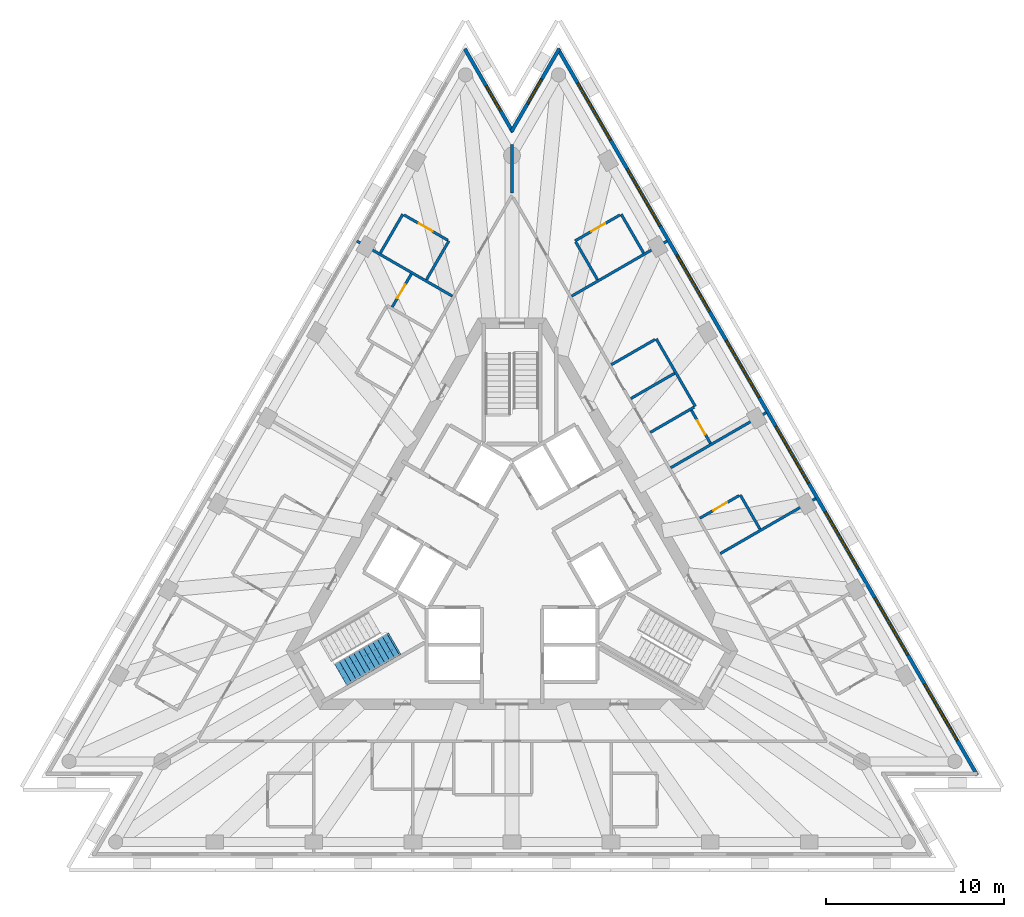
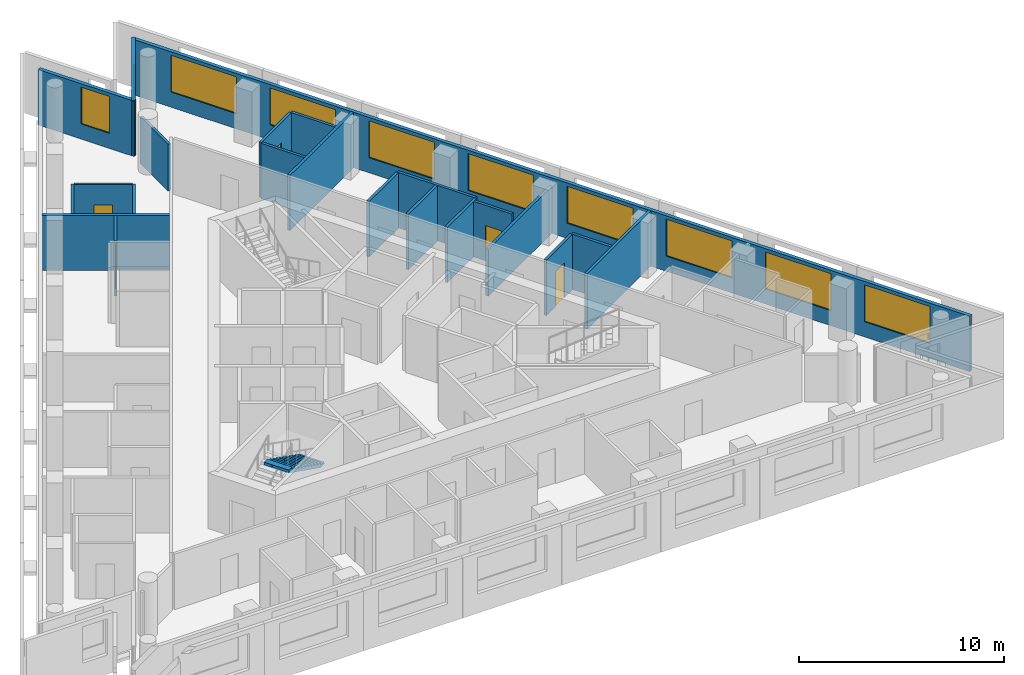
# One storey, part 7 of 10: 22 walls, 10 windows, 5 doors, 1 stair flight, 15 openings, 1 element without a shape of its own.
"""IFC4 building model written with IfcOpenShell, lengths in metres."""

from ifc_helpers import new_model, si_unit, direction, frame, frame_2d, origin, place, context, subcontext, project, spatial, polyline, rectangle, outline, extrude, material, layer, layer_set, layer_usage, type_object, element, fill, aggregate, save


model = new_model("IFC4")

# Units and contexts
model_context = context("Model", 3, precision=1e-05, world=origin(), true_north=direction((0.0, 1.0)))
body_context = subcontext(model_context, "Body", "Model", "MODEL_VIEW")
ifc_project = project(units=[si_unit("LENGTHUNIT", "METRE"), si_unit("AREAUNIT", "SQUARE_METRE"), si_unit("VOLUMEUNIT", "CUBIC_METRE"), si_unit("PLANEANGLEUNIT", "RADIAN"), si_unit("MASSUNIT", "GRAM", prefix="KILO")], contexts=[model_context])

# Site, building, storey
site_placement = place(None, origin())
site = spatial("IfcSite", under=ifc_project, at=site_placement, CompositionType="ELEMENT")
building_placement = place(site_placement, origin())
building = spatial("IfcBuilding", under=site, at=building_placement, Name="Triada Interchange Tower", CompositionType="ELEMENT")
storey_placement = place(building_placement, frame((0.0, 0.0, 271.89990234375)))
storey = spatial("IfcBuildingStorey", under=building, at=storey_placement, Name="L63", CompositionType="ELEMENT", Elevation=271.89990234375)

# Wall, openings, windows
ifc_material_1 = material(Name="Cement board")
ifc_layer_1 = layer(ifc_material_1, 0.02001953125, Name="Cement board cladding")
ifc_material_2 = material(Name="Sheathing board")
ifc_layer_2 = layer(ifc_material_2, 0.014892578125, Name="Sheathing board")
ifc_material_3 = material(Name="Mineral wool")
ifc_layer_3 = layer(ifc_material_3, 0.14990234375, Name="Mineral wool between steel studs")
ifc_material_4 = material(Name="Gypsum board")
ifc_layer_4 = layer(ifc_material_4, 0.014892578125, Name="Plasterboard lining")
ifc_layer_set_1 = layer_set([ifc_layer_1, ifc_layer_2, ifc_layer_3, ifc_layer_4], Name="External wall 200")
ifc_layer_usage = layer_usage(ifc_layer_set_1, "AXIS2", "POSITIVE", -0.10009765625)
wall_type_1 = type_object("IfcWallType", Name="External wall 200", PredefinedType="ELEMENTEDWALL", material=ifc_layer_set_1)
wall_1_placement = place(storey_placement, frame((26.205078125, -12.154052734375, 0.0), z_axis=(0.0, 0.0, 1.0), x_axis=(-0.49999909388, 0.866025926932, 0.0)))
wall_1 = element("IfcWall", 1, at=wall_1_placement, inside=storey, type_object=wall_type_1, material=ifc_layer_usage, Name="External wall L63 NE", PredefinedType="ELEMENTEDWALL", context=body_context, shape_type="SweptSolid", body=[
    extrude(rectangle(XDim=47.236328125, YDim=0.199951171875, at=frame_2d((23.6181640625, 0.0))), origin(), (0.0, 0.0, 1.0), 3.300048828125),
])
opening_1_placement = place(wall_1_placement, frame((2.242919921875, 0.0, 0.89990234375)))
opening_1 = element("IfcOpeningElement", 2, at=opening_1_placement, cuts=wall_1, Name="Opening WD21", PredefinedType="OPENING", context=body_context, shape_type="SweptSolid", body=[
    extrude(rectangle(XDim=3.699951171875, YDim=2.199951171875, at=frame_2d((1.85009765625, 1.10009765625))), frame((0.0, 0.10986328125, 0.0), z_axis=(0.0, -1.0, 0.0), x_axis=(1.0, 0.0, 0.0)), (0.0, 0.0, 1.0), 0.219970703125),
])
opening_2_placement = place(wall_1_placement, frame((7.824951171875, 0.0, 0.89990234375)))
opening_2 = element("IfcOpeningElement", 3, at=opening_2_placement, cuts=wall_1, Name="Opening WD22", PredefinedType="OPENING", context=body_context, shape_type="SweptSolid", body=[
    extrude(rectangle(XDim=3.699951171875, YDim=2.199951171875, at=frame_2d((1.85009765625, 1.10009765625))), frame((0.0, 0.10986328125, 0.0), z_axis=(0.0, -1.0, 0.0), x_axis=(1.0, 0.0, 0.0)), (0.0, 0.0, 1.0), 0.219970703125),
])
opening_3_placement = place(wall_1_placement, frame((13.406005859375, 0.0, 0.89990234375)))
opening_3 = element("IfcOpeningElement", 4, at=opening_3_placement, cuts=wall_1, Name="Opening WD23", PredefinedType="OPENING", context=body_context, shape_type="SweptSolid", body=[
    extrude(rectangle(XDim=3.699951171875, YDim=2.199951171875, at=frame_2d((1.85009765625, 1.10009765625))), frame((0.0, 0.10986328125, 0.0), z_axis=(0.0, -1.0, 0.0), x_axis=(1.0, 0.0, 0.0)), (0.0, 0.0, 1.0), 0.219970703125),
])
opening_4_placement = place(wall_1_placement, frame((18.987060546875, 0.0, 0.89990234375)))
opening_4 = element("IfcOpeningElement", 5, at=opening_4_placement, cuts=wall_1, Name="Opening WD24", PredefinedType="OPENING", context=body_context, shape_type="SweptSolid", body=[
    extrude(rectangle(XDim=3.699951171875, YDim=2.199951171875, at=frame_2d((1.85009765625, 1.10009765625))), frame((0.0, 0.10986328125, 0.0), z_axis=(0.0, -1.0, 0.0), x_axis=(1.0, 0.0, 0.0)), (0.0, 0.0, 1.0), 0.219970703125),
])
opening_5_placement = place(wall_1_placement, frame((24.569091796875, 0.0, 0.89990234375)))
opening_5 = element("IfcOpeningElement", 6, at=opening_5_placement, cuts=wall_1, Name="Opening WD25", PredefinedType="OPENING", context=body_context, shape_type="SweptSolid", body=[
    extrude(rectangle(XDim=3.699951171875, YDim=2.199951171875, at=frame_2d((1.85009765625, 1.10009765625))), frame((0.0, 0.10986328125, 0.0), z_axis=(0.0, -1.0, 0.0), x_axis=(1.0, 0.0, 0.0)), (0.0, 0.0, 1.0), 0.219970703125),
])
opening_6_placement = place(wall_1_placement, frame((30.14990234375, 0.0, 0.89990234375)))
opening_6 = element("IfcOpeningElement", 7, at=opening_6_placement, cuts=wall_1, Name="Opening WD26", PredefinedType="OPENING", context=body_context, shape_type="SweptSolid", body=[
    extrude(rectangle(XDim=3.699951171875, YDim=2.199951171875, at=frame_2d((1.85009765625, 1.10009765625))), frame((0.0, 0.10986328125, 0.0), z_axis=(0.0, -1.0, 0.0), x_axis=(1.0, 0.0, 0.0)), (0.0, 0.0, 1.0), 0.219970703125),
])
opening_7_placement = place(wall_1_placement, frame((35.73193359375, 0.0, 0.89990234375)))
opening_7 = element("IfcOpeningElement", 8, at=opening_7_placement, cuts=wall_1, Name="Opening WD27", PredefinedType="OPENING", context=body_context, shape_type="SweptSolid", body=[
    extrude(rectangle(XDim=3.699951171875, YDim=2.199951171875, at=frame_2d((1.85009765625, 1.10009765625))), frame((0.0, 0.10986328125, 0.0), z_axis=(0.0, -1.0, 0.0), x_axis=(1.0, 0.0, 0.0)), (0.0, 0.0, 1.0), 0.219970703125),
])
opening_8_placement = place(wall_1_placement, frame((41.31298828125, 0.0, 0.89990234375)))
opening_8 = element("IfcOpeningElement", 9, at=opening_8_placement, cuts=wall_1, Name="Opening WD28", PredefinedType="OPENING", context=body_context, shape_type="SweptSolid", body=[
    extrude(rectangle(XDim=3.699951171875, YDim=2.199951171875, at=frame_2d((1.85009765625, 1.10009765625))), frame((0.0, 0.10986328125, 0.0), z_axis=(0.0, -1.0, 0.0), x_axis=(1.0, 0.0, 0.0)), (0.0, 0.0, 1.0), 0.219970703125),
])
ifc_material_5 = material(Name="Double glazed aluminium window", Category="aluminium")
window_type_1 = type_object("IfcWindowType", Name="Ribbon window D face", PartitioningType="SINGLE_PANEL", PredefinedType="WINDOW", material=ifc_material_5)
window_1_placement = place(opening_1_placement, origin())
window_1 = element("IfcWindow", 10, at=window_1_placement, inside=storey, type_object=window_type_1, Name="Window L63 NE 1", OverallHeight=2.199951171875, OverallWidth=3.699951171875, PartitioningType="SINGLE_PANEL", PredefinedType="WINDOW", context=body_context, shape_type="SweptSolid", body=[
    extrude(rectangle(XDim=3.699951171875, YDim=2.199951171875, at=frame_2d((1.85009765625, 1.10009765625))), frame((0.0, 0.030029296875, 0.0), z_axis=(0.0, -1.0, 0.0), x_axis=(1.0, 0.0, 0.0)), (0.0, 0.0, 1.0), 0.06005859375),
])
fill(opening_1, window_1)
window_2_placement = place(opening_2_placement, origin())
window_2 = element("IfcWindow", 11, at=window_2_placement, inside=storey, type_object=window_type_1, Name="Window L63 NE 2", OverallHeight=2.199951171875, OverallWidth=3.699951171875, PartitioningType="SINGLE_PANEL", PredefinedType="WINDOW", context=body_context, shape_type="SweptSolid", body=[
    extrude(rectangle(XDim=3.699951171875, YDim=2.199951171875, at=frame_2d((1.85009765625, 1.10009765625))), frame((0.0, 0.030029296875, 0.0), z_axis=(0.0, -1.0, 0.0), x_axis=(1.0, 0.0, 0.0)), (0.0, 0.0, 1.0), 0.06005859375),
])
fill(opening_2, window_2)
window_3_placement = place(opening_3_placement, origin())
window_3 = element("IfcWindow", 12, at=window_3_placement, inside=storey, type_object=window_type_1, Name="Window L63 NE 3", OverallHeight=2.199951171875, OverallWidth=3.699951171875, PartitioningType="SINGLE_PANEL", PredefinedType="WINDOW", context=body_context, shape_type="SweptSolid", body=[
    extrude(rectangle(XDim=3.699951171875, YDim=2.199951171875, at=frame_2d((1.85009765625, 1.10009765625))), frame((0.0, 0.030029296875, 0.0), z_axis=(0.0, -1.0, 0.0), x_axis=(1.0, 0.0, 0.0)), (0.0, 0.0, 1.0), 0.06005859375),
])
fill(opening_3, window_3)
window_4_placement = place(opening_4_placement, origin())
window_4 = element("IfcWindow", 13, at=window_4_placement, inside=storey, type_object=window_type_1, Name="Window L63 NE 4", OverallHeight=2.199951171875, OverallWidth=3.699951171875, PartitioningType="SINGLE_PANEL", PredefinedType="WINDOW", context=body_context, shape_type="SweptSolid", body=[
    extrude(rectangle(XDim=3.699951171875, YDim=2.199951171875, at=frame_2d((1.85009765625, 1.10009765625))), frame((0.0, 0.030029296875, 0.0), z_axis=(0.0, -1.0, 0.0), x_axis=(1.0, 0.0, 0.0)), (0.0, 0.0, 1.0), 0.06005859375),
])
fill(opening_4, window_4)
window_5_placement = place(opening_5_placement, origin())
window_5 = element("IfcWindow", 14, at=window_5_placement, inside=storey, type_object=window_type_1, Name="Window L63 NE 5", OverallHeight=2.199951171875, OverallWidth=3.699951171875, PartitioningType="SINGLE_PANEL", PredefinedType="WINDOW", context=body_context, shape_type="SweptSolid", body=[
    extrude(rectangle(XDim=3.699951171875, YDim=2.199951171875, at=frame_2d((1.85009765625, 1.10009765625))), frame((0.0, 0.030029296875, 0.0), z_axis=(0.0, -1.0, 0.0), x_axis=(1.0, 0.0, 0.0)), (0.0, 0.0, 1.0), 0.06005859375),
])
fill(opening_5, window_5)
window_6_placement = place(opening_6_placement, origin())
window_6 = element("IfcWindow", 15, at=window_6_placement, inside=storey, type_object=window_type_1, Name="Window L63 NE 6", OverallHeight=2.199951171875, OverallWidth=3.699951171875, PartitioningType="SINGLE_PANEL", PredefinedType="WINDOW", context=body_context, shape_type="SweptSolid", body=[
    extrude(rectangle(XDim=3.699951171875, YDim=2.199951171875, at=frame_2d((1.85009765625, 1.10009765625))), frame((0.0, 0.030029296875, 0.0), z_axis=(0.0, -1.0, 0.0), x_axis=(1.0, 0.0, 0.0)), (0.0, 0.0, 1.0), 0.06005859375),
])
fill(opening_6, window_6)
window_7_placement = place(opening_7_placement, origin())
window_7 = element("IfcWindow", 16, at=window_7_placement, inside=storey, type_object=window_type_1, Name="Window L63 NE 7", OverallHeight=2.199951171875, OverallWidth=3.699951171875, PartitioningType="SINGLE_PANEL", PredefinedType="WINDOW", context=body_context, shape_type="SweptSolid", body=[
    extrude(rectangle(XDim=3.699951171875, YDim=2.199951171875, at=frame_2d((1.85009765625, 1.10009765625))), frame((0.0, 0.030029296875, 0.0), z_axis=(0.0, -1.0, 0.0), x_axis=(1.0, 0.0, 0.0)), (0.0, 0.0, 1.0), 0.06005859375),
])
fill(opening_7, window_7)
window_8_placement = place(opening_8_placement, origin())
window_8 = element("IfcWindow", 17, at=window_8_placement, inside=storey, type_object=window_type_1, Name="Window L63 NE 8", OverallHeight=2.199951171875, OverallWidth=3.699951171875, PartitioningType="SINGLE_PANEL", PredefinedType="WINDOW", context=body_context, shape_type="SweptSolid", body=[
    extrude(rectangle(XDim=3.699951171875, YDim=2.199951171875, at=frame_2d((1.85009765625, 1.10009765625))), frame((0.0, 0.030029296875, 0.0), z_axis=(0.0, -1.0, 0.0), x_axis=(1.0, 0.0, 0.0)), (0.0, 0.0, 1.0), 0.06005859375),
])
fill(opening_8, window_8)

# Wall, opening, window
wall_2_placement = place(storey_placement, frame((2.6669921875, 28.77099609375, 0.0), z_axis=(0.0, 0.0, 1.0), x_axis=(-0.500070558953, -0.865984662721, 0.0)))
wall_2 = element("IfcWall", 18, at=wall_2_placement, inside=storey, type_object=wall_type_1, material=ifc_layer_usage, Name="External wall L63 N-1", PredefinedType="ELEMENTEDWALL", context=body_context, shape_type="SweptSolid", body=[
    extrude(rectangle(XDim=5.403076171875, YDim=0.199951171875, at=frame_2d((2.70166015625, 0.0))), origin(), (0.0, 0.0, 1.0), 3.300048828125),
])
opening_9_placement = place(wall_2_placement, frame((1.989990234375, 0.0, 0.89990234375)))
opening_9 = element("IfcOpeningElement", 19, at=opening_9_placement, cuts=wall_2, Name="Opening WD29", PredefinedType="OPENING", context=body_context, shape_type="SweptSolid", body=[
    extrude(rectangle(XDim=1.60009765625, YDim=2.199951171875, at=frame_2d((0.800048828125, 1.10009765625))), frame((0.0, 0.10986328125, 0.0), z_axis=(0.0, -1.0, 0.0), x_axis=(1.0, 0.0, 0.0)), (0.0, 0.0, 1.0), 0.219970703125),
])
window_type_2 = type_object("IfcWindowType", Name="Ribbon window D pocket", PartitioningType="SINGLE_PANEL", PredefinedType="WINDOW", material=ifc_material_5)
window_9_placement = place(opening_9_placement, origin())
window_9 = element("IfcWindow", 20, at=window_9_placement, inside=storey, type_object=window_type_2, Name="Window L63 N-1 1", OverallHeight=2.199951171875, OverallWidth=1.60009765625, PartitioningType="SINGLE_PANEL", PredefinedType="WINDOW", context=body_context, shape_type="SweptSolid", body=[
    extrude(rectangle(XDim=1.60009765625, YDim=2.199951171875, at=frame_2d((0.800048828125, 1.10009765625))), frame((0.0, 0.030029296875, 0.0), z_axis=(0.0, -1.0, 0.0), x_axis=(1.0, 0.0, 0.0)), (0.0, 0.0, 1.0), 0.06005859375),
])
fill(opening_9, window_9)

wall_3_placement = place(storey_placement, frame((0.044921875, 24.074951171875, 0.0), z_axis=(0.0, 0.0, 1.0), x_axis=(-0.500070558953, 0.865984662721, 0.0)))
wall_3 = element("IfcWall", 21, at=wall_3_placement, inside=storey, type_object=wall_type_1, material=ifc_layer_usage, Name="External wall L63 N-2", PredefinedType="ELEMENTEDWALL", context=body_context, shape_type="SweptSolid", body=[
    extrude(rectangle(XDim=5.403076171875, YDim=0.199951171875, at=frame_2d((2.70166015625, 0.0))), origin(), (0.0, 0.0, 1.0), 3.300048828125),
])
opening_10_placement = place(wall_3_placement, frame((1.389892578125, 0.0, 0.89990234375)))
opening_10 = element("IfcOpeningElement", 22, at=opening_10_placement, cuts=wall_3, Name="Opening WD30", PredefinedType="OPENING", context=body_context, shape_type="SweptSolid", body=[
    extrude(rectangle(XDim=1.60009765625, YDim=2.199951171875, at=frame_2d((0.800048828125, 1.10009765625))), frame((0.0, 0.10986328125, 0.0), z_axis=(0.0, -1.0, 0.0), x_axis=(1.0, 0.0, 0.0)), (0.0, 0.0, 1.0), 0.219970703125),
])
window_10_placement = place(opening_10_placement, origin())
window_10 = element("IfcWindow", 23, at=window_10_placement, inside=storey, type_object=window_type_2, Name="Window L63 N-2 1", OverallHeight=2.199951171875, OverallWidth=1.60009765625, PartitioningType="SINGLE_PANEL", PredefinedType="WINDOW", context=body_context, shape_type="SweptSolid", body=[
    extrude(rectangle(XDim=1.60009765625, YDim=2.199951171875, at=frame_2d((0.800048828125, 1.10009765625))), frame((0.0, 0.030029296875, 0.0), z_axis=(0.0, -1.0, 0.0), x_axis=(1.0, 0.0, 0.0)), (0.0, 0.0, 1.0), 0.06005859375),
])
fill(opening_10, window_10)

# Walls
ifc_material_6 = material(Name="Gypsum board partition")
ifc_layer_5 = layer(ifc_material_6, 0.14990234375)
ifc_layer_set_2 = layer_set([ifc_layer_5], Name="PARTITION 150 EI 180")
wall_type_2 = type_object("IfcWallType", Name="PARTITION 150 EI 180", PredefinedType="PARTITIONING", material=ifc_layer_set_2)
wall_4_placement = place(storey_placement, frame((8.94189453125, 5.162109375, 0.0), z_axis=(0.0, 0.0, 1.0), x_axis=(0.866004272968, 0.500036597862, 0.0)))
element("IfcWall", 24, at=wall_4_placement, inside=storey, type_object=wall_type_2, Name="Wall L62 2", PredefinedType="PARTITIONING", context=body_context, shape_type="SweptSolid", body=[
    extrude(rectangle(XDim=6.21142578125, YDim=0.14990234375, at=frame_2d((3.105712890625, 0.0))), origin(), (0.0, 0.0, 1.0), 2.800048828125),
])
wall_5_placement = place(storey_placement, frame((-8.739990234375, 17.93603515625, 0.0), z_axis=(0.0, 0.0, 1.0), x_axis=(0.866033751423, -0.499985541187, 0.0)))
element("IfcWall", 25, at=wall_5_placement, inside=storey, type_object=wall_type_2, Name="Wall L62 10", PredefinedType="PARTITIONING", context=body_context, shape_type="SweptSolid", body=[
    extrude(rectangle(XDim=6.212158203125, YDim=0.14990234375, at=frame_2d((3.10595703125, 0.0))), origin(), (0.0, 0.0, 1.0), 3.300048828125),
])
wall_6_placement = place(storey_placement, frame((0.0, 20.64990234375, 0.0), z_axis=(0.0, 0.0, 1.0), x_axis=(0.0, 1.0, 0.0)))
element("IfcWall", 26, at=wall_6_placement, inside=storey, type_object=wall_type_2, Name="Wall L62 21", PredefinedType="PARTITIONING", context=body_context, shape_type="SweptSolid", body=[
    extrude(rectangle(XDim=2.72314453125, YDim=0.14990234375, at=frame_2d((1.361572265625, 0.0))), origin(), (0.0, 0.0, 1.0), 2.800048828125),
])
wall_7_placement = place(storey_placement, frame((3.360107421875, 14.830078125, 0.0), z_axis=(0.0, 0.0, 1.0), x_axis=(0.866033751423, 0.499985541187, 0.0)))
element("IfcWall", 27, at=wall_7_placement, inside=storey, type_object=wall_type_2, Name="Wall L62 23", PredefinedType="PARTITIONING", context=body_context, shape_type="SweptSolid", body=[
    extrude(rectangle(XDim=6.212158203125, YDim=0.14990234375, at=frame_2d((3.10595703125, 0.0))), origin(), (0.0, 0.0, 1.0), 3.300048828125),
])
wall_8_placement = place(storey_placement, frame((8.125, 12.427001953125, 0.0), z_axis=(0.0, 0.0, 1.0), x_axis=(0.500036278648, -0.866004457284, 0.0)))
element("IfcWall", 28, at=wall_8_placement, inside=storey, type_object=wall_type_2, Name="Wall L62 24", PredefinedType="PARTITIONING", context=body_context, shape_type="SweptSolid", body=[
    extrude(rectangle(XDim=4.399658203125, YDim=0.14990234375, at=frame_2d((2.19970703125, 0.0))), origin(), (0.0, 0.0, 1.0), 3.300048828125),
])
for number, where, z_axis, x_axis, name in (
    (29, (5.592041015625, 10.965087890625, 0.0), (0.0, 0.0, 1.0), (0.866041498374, 0.499972122318, 0.0), "Wall L62 25"),
    (30, (6.69189453125, 9.05908203125, 0.0), (0.0, 0.0, 1.0), (0.866041498374, 0.499972122318, 0.0), "Wall L62 27"),
    (31, (7.7919921875, 7.154052734375, 0.0), (0.0, 0.0, 1.0), (0.866004402611, 0.500036373335, 0.0), "Wall L62 28"),
):
    element("IfcWall", number, at=place(storey_placement, frame(where, z_axis=z_axis, x_axis=x_axis)), inside=storey, type_object=wall_type_2, Name=name, PredefinedType="PARTITIONING", context=body_context, shape_type="SweptSolid", body=[
        extrude(rectangle(XDim=2.849853515625, YDim=0.14990234375, at=frame_2d((1.4248046875, 0.0))), origin(), (0.0, 0.0, 1.0), 3.300048828125),
    ])
wall_9_placement = place(storey_placement, frame((11.73193359375, 0.3291015625, 0.0), z_axis=(0.0, 0.0, 1.0), x_axis=(0.866043575568, 0.499968524226, 0.0)))
element("IfcWall", 32, at=wall_9_placement, inside=storey, type_object=wall_type_2, Name="Wall L62 29", PredefinedType="PARTITIONING", context=body_context, shape_type="SweptSolid", body=[
    extrude(rectangle(XDim=6.21240234375, YDim=0.14990234375, at=frame_2d((3.106201171875, 0.0))), origin(), (0.0, 0.0, 1.0), 3.300048828125),
])
ifc_layer_6 = layer(ifc_material_6, 0.14990234375)
ifc_layer_set_3 = layer_set([ifc_layer_6], Name="PARTITION 150 EI 90")
wall_type_3 = type_object("IfcWallType", Name="PARTITION 150 EI 90", PredefinedType="PARTITIONING", material=ifc_layer_set_3)
for number, where, z_axis, x_axis, name in (
    (33, (-4.81689453125, 15.757080078125, 0.0), (0.0, 0.0, 1.0), (0.500079482444, 0.865979509711, 0.0), "Wall L62 35"),
    (34, (-7.4150390625, 17.257080078125, 0.0), (0.0, 0.0, 1.0), (0.500079482444, 0.865979509711, 0.0), "Wall L62 37"),
):
    element("IfcWall", number, at=place(storey_placement, frame(where, z_axis=z_axis, x_axis=x_axis)), inside=storey, type_object=wall_type_3, Name=name, PredefinedType="PARTITIONING", context=body_context, shape_type="SweptSolid", body=[
        extrude(rectangle(XDim=2.525390625, YDim=0.14990234375, at=frame_2d((1.2626953125, 0.0))), origin(), (0.0, 0.0, 1.0), 3.300048828125),
    ])

# Wall, opening, door
wall_10_placement = place(storey_placement, frame((-6.74609375, 14.216064453125, 0.0), z_axis=(0.0, 0.0, 1.0), x_axis=(0.500095966228, 0.865969990567, 0.0)))
wall_10 = element("IfcWall", 35, at=wall_10_placement, inside=storey, type_object=wall_type_3, Name="Wall L62 40", PredefinedType="PARTITIONING", context=body_context, shape_type="SweptSolid", body=[
    extrude(rectangle(XDim=2.14990234375, YDim=0.14990234375, at=frame_2d((1.074951171875, 0.0))), origin(), (0.0, 0.0, 1.0), 3.300048828125),
])
opening_11_placement = place(wall_10_placement, frame((0.574951171875, 0.0, 0.0)))
opening_11 = element("IfcOpeningElement", 36, at=opening_11_placement, cuts=wall_10, Name="Opening D62-37", PredefinedType="OPENING", context=body_context, shape_type="SweptSolid", body=[
    extrude(rectangle(XDim=0.89990234375, YDim=2.10009765625, at=frame_2d((0.449951171875, 1.050048828125))), frame((0.0, 0.0849609375, 0.0), z_axis=(0.0, -1.0, 0.0), x_axis=(1.0, 0.0, 0.0)), (0.0, 0.0, 1.0), 0.169921875),
])
ifc_material_7 = material(Name="Steel S235 door leaf", Category="steel")
door_type = type_object("IfcDoorType", Name="ROOM DOOR 900 EI2 45-C5S200", OperationType="NOTDEFINED", PredefinedType="DOOR", material=ifc_material_7)
door_1_placement = place(opening_11_placement, origin())
door_1 = element("IfcDoor", 37, at=door_1_placement, inside=storey, type_object=door_type, Name="Door D62-37 L63", OperationType="SINGLE_SWING_LEFT", OverallHeight=2.10009765625, OverallWidth=0.89990234375, PredefinedType="DOOR", context=body_context, shape_type="SweptSolid", body=[
    extrude(rectangle(XDim=0.89990234375, YDim=2.10009765625, at=frame_2d((0.449951171875, 1.050048828125))), frame((0.0, 0.02490234375, 0.0), z_axis=(0.0, -1.0, 0.0), x_axis=(1.0, 0.0, 0.0)), (0.0, 0.0, 1.0), 0.050048828125),
])
fill(opening_11, door_1)

wall_11_placement = place(storey_placement, frame((-6.0869140625, 19.406982421875, 0.0), z_axis=(0.0, 0.0, 1.0), x_axis=(0.866004402611, -0.500036373335, 0.0)))
wall_11 = element("IfcWall", 38, at=wall_11_placement, inside=storey, type_object=wall_type_3, Name="Wall L62 51", PredefinedType="PARTITIONING", context=body_context, shape_type="SweptSolid", body=[
    extrude(rectangle(XDim=2.849853515625, YDim=0.14990234375, at=frame_2d((1.4248046875, 0.0))), origin(), (0.0, 0.0, 1.0), 3.300048828125),
])
opening_12_placement = place(wall_11_placement, frame((0.97509765625, 0.0, 0.0)))
opening_12 = element("IfcOpeningElement", 39, at=opening_12_placement, cuts=wall_11, Name="Opening D62-35", PredefinedType="OPENING", context=body_context, shape_type="SweptSolid", body=[
    extrude(rectangle(XDim=0.89990234375, YDim=2.10009765625, at=frame_2d((0.449951171875, 1.050048828125))), frame((0.0, 0.0849609375, 0.0), z_axis=(0.0, -1.0, 0.0), x_axis=(1.0, 0.0, 0.0)), (0.0, 0.0, 1.0), 0.169921875),
])
door_2_placement = place(opening_12_placement, origin())
door_2 = element("IfcDoor", 40, at=door_2_placement, inside=storey, type_object=door_type, Name="Door D62-35 L63", OperationType="SINGLE_SWING_RIGHT", OverallHeight=2.10009765625, OverallWidth=0.89990234375, PredefinedType="DOOR", context=body_context, shape_type="SweptSolid", body=[
    extrude(rectangle(XDim=0.89990234375, YDim=2.10009765625, at=frame_2d((0.449951171875, 1.050048828125))), frame((0.0, 0.02490234375, 0.0), z_axis=(0.0, -1.0, 0.0), x_axis=(1.0, 0.0, 0.0)), (0.0, 0.0, 1.0), 0.050048828125),
])
fill(opening_12, door_2)

# Wall
wall_12_placement = place(storey_placement, frame((6.152099609375, 19.444091796875, 0.0), z_axis=(0.0, 0.0, 1.0), x_axis=(0.500079482444, -0.865979509711, 0.0)))
element("IfcWall", 41, at=wall_12_placement, inside=storey, type_object=wall_type_3, Name="Wall L62 52", PredefinedType="PARTITIONING", context=body_context, shape_type="SweptSolid", body=[
    extrude(rectangle(XDim=2.525390625, YDim=0.14990234375, at=frame_2d((1.2626953125, 0.0))), origin(), (0.0, 0.0, 1.0), 3.300048828125),
])

# Wall, opening, door
wall_13_placement = place(storey_placement, frame((3.553955078125, 17.944091796875, 0.0), z_axis=(0.0, 0.0, 1.0), x_axis=(0.865953438489, 0.500124626836, 0.0)))
wall_13 = element("IfcWall", 42, at=wall_13_placement, inside=storey, type_object=wall_type_3, Name="Wall L62 54", PredefinedType="PARTITIONING", context=body_context, shape_type="SweptSolid", body=[
    extrude(rectangle(XDim=2.925048828125, YDim=0.14990234375, at=frame_2d((1.46240234375, 0.0))), origin(), (0.0, 0.0, 1.0), 3.300048828125),
])
opening_13_placement = place(wall_13_placement, frame((1.050048828125, 0.0, 0.0)))
opening_13 = element("IfcOpeningElement", 43, at=opening_13_placement, cuts=wall_13, Name="Opening D62-33", PredefinedType="OPENING", context=body_context, shape_type="SweptSolid", body=[
    extrude(rectangle(XDim=0.89990234375, YDim=2.10009765625, at=frame_2d((0.449951171875, 1.050048828125))), frame((0.0, 0.0849609375, 0.0), z_axis=(0.0, -1.0, 0.0), x_axis=(1.0, 0.0, 0.0)), (0.0, 0.0, 1.0), 0.169921875),
])
door_3_placement = place(opening_13_placement, origin())
door_3 = element("IfcDoor", 44, at=door_3_placement, inside=storey, type_object=door_type, Name="Door D62-33 L63", OperationType="SINGLE_SWING_LEFT", OverallHeight=2.10009765625, OverallWidth=0.89990234375, PredefinedType="DOOR", context=body_context, shape_type="SweptSolid", body=[
    extrude(rectangle(XDim=0.89990234375, YDim=2.10009765625, at=frame_2d((0.449951171875, 1.050048828125))), frame((0.0, 0.02490234375, 0.0), z_axis=(0.0, -1.0, 0.0), x_axis=(1.0, 0.0, 0.0)), (0.0, 0.0, 1.0), 0.050048828125),
])
fill(opening_13, door_3)

# Wall
wall_14_placement = place(storey_placement, frame((3.592041015625, 17.87890625, 0.0), z_axis=(0.0, 0.0, 1.0), x_axis=(0.499943856944, -0.866057815567, 0.0)))
element("IfcWall", 45, at=wall_14_placement, inside=storey, type_object=wall_type_3, Name="Wall L62 55", PredefinedType="PARTITIONING", context=body_context, shape_type="SweptSolid", body=[
    extrude(rectangle(XDim=2.449951171875, YDim=0.14990234375, at=frame_2d((1.22509765625, 0.0))), origin(), (0.0, 0.0, 1.0), 3.300048828125),
])

# Wall, opening, door
wall_15_placement = place(storey_placement, frame((10.10302734375, 8.402099609375, 0.0), z_axis=(0.0, 0.0, 1.0), x_axis=(0.499961633463, -0.866047553582, 0.0)))
wall_15 = element("IfcWall", 46, at=wall_15_placement, inside=storey, type_object=wall_type_3, Name="Wall L62 58", PredefinedType="PARTITIONING", context=body_context, shape_type="SweptSolid", body=[
    extrude(rectangle(XDim=2.150146484375, YDim=0.14990234375, at=frame_2d((1.0751953125, 0.0))), origin(), (0.0, 0.0, 1.0), 3.300048828125),
])
opening_14_placement = place(wall_15_placement, frame((0.675048828125, 0.0, 0.0)))
opening_14 = element("IfcOpeningElement", 47, at=opening_14_placement, cuts=wall_15, Name="Opening D62-29", PredefinedType="OPENING", context=body_context, shape_type="SweptSolid", body=[
    extrude(rectangle(XDim=0.89990234375, YDim=2.10009765625, at=frame_2d((0.449951171875, 1.050048828125))), frame((0.0, 0.0849609375, 0.0), z_axis=(0.0, -1.0, 0.0), x_axis=(1.0, 0.0, 0.0)), (0.0, 0.0, 1.0), 0.169921875),
])
door_4_placement = place(opening_14_placement, origin())
door_4 = element("IfcDoor", 48, at=door_4_placement, inside=storey, type_object=door_type, Name="Door D62-29 L63", OperationType="SINGLE_SWING_LEFT", OverallHeight=2.10009765625, OverallWidth=0.89990234375, PredefinedType="DOOR", context=body_context, shape_type="SweptSolid", body=[
    extrude(rectangle(XDim=0.89990234375, YDim=2.10009765625, at=frame_2d((0.449951171875, 1.050048828125))), frame((0.0, 0.02490234375, 0.0), z_axis=(0.0, -1.0, 0.0), x_axis=(1.0, 0.0, 0.0)), (0.0, 0.0, 1.0), 0.050048828125),
])
fill(opening_14, door_4)

# Wall
wall_16_placement = place(storey_placement, frame((12.85595703125, 3.633056640625, 0.0), z_axis=(0.0, 0.0, 1.0), x_axis=(0.500023359282, -0.866011916877, 0.0)))
element("IfcWall", 49, at=wall_16_placement, inside=storey, type_object=wall_type_3, Name="Wall L62 59", PredefinedType="PARTITIONING", context=body_context, shape_type="SweptSolid", body=[
    extrude(rectangle(XDim=2.22412109375, YDim=0.14990234375, at=frame_2d((1.112060546875, 0.0))), origin(), (0.0, 0.0, 1.0), 3.300048828125),
])

# Wall, opening, door
wall_17_placement = place(storey_placement, frame((10.58203125, 2.321044921875, 0.0), z_axis=(0.0, 0.0, 1.0), x_axis=(0.866102706185, 0.499866084405, 0.0)))
wall_17 = element("IfcWall", 50, at=wall_17_placement, inside=storey, type_object=wall_type_3, Name="Wall L62 61", PredefinedType="PARTITIONING", context=body_context, shape_type="SweptSolid", body=[
    extrude(rectangle(XDim=2.550537109375, YDim=0.14990234375, at=frame_2d((1.275390625, 0.0))), origin(), (0.0, 0.0, 1.0), 3.300048828125),
])
opening_15_placement = place(wall_17_placement, frame((0.875, 0.0, 0.0)))
opening_15 = element("IfcOpeningElement", 51, at=opening_15_placement, cuts=wall_17, Name="Opening D62-27", PredefinedType="OPENING", context=body_context, shape_type="SweptSolid", body=[
    extrude(rectangle(XDim=0.89990234375, YDim=2.10009765625, at=frame_2d((0.449951171875, 1.050048828125))), frame((0.0, 0.0849609375, 0.0), z_axis=(0.0, -1.0, 0.0), x_axis=(1.0, 0.0, 0.0)), (0.0, 0.0, 1.0), 0.169921875),
])
door_5_placement = place(opening_15_placement, origin())
door_5 = element("IfcDoor", 52, at=door_5_placement, inside=storey, type_object=door_type, Name="Door D62-27 L63", OperationType="SINGLE_SWING_RIGHT", OverallHeight=2.10009765625, OverallWidth=0.89990234375, PredefinedType="DOOR", context=body_context, shape_type="SweptSolid", body=[
    extrude(rectangle(XDim=0.89990234375, YDim=2.10009765625, at=frame_2d((0.449951171875, 1.050048828125))), frame((0.0, 0.02490234375, 0.0), z_axis=(0.0, -1.0, 0.0), x_axis=(1.0, 0.0, 0.0)), (0.0, 0.0, 1.0), 0.050048828125),
])
fill(opening_15, door_5)

# Stair, stair flight
ifc_material_8 = material(Name="Concrete C35/45", Category="concrete")
stair_type = type_object("IfcStairType", Name="HALF TURN STAIR 1400", PredefinedType="HALF_TURN_STAIR", material=ifc_material_8)
stair_placement = place(storey_placement, origin())
stair = element("IfcStair", 53, at=stair_placement, inside=storey, type_object=stair_type, Name="Exit stair S62-2", PredefinedType="HALF_TURN_STAIR")
stair_flight_type = type_object("IfcStairFlightType", Name="STRAIGHT STAIR FLIGHT 1400", PredefinedType="STRAIGHT", material=ifc_material_8)
stair_flight_placement = place(storey_placement, frame((-6.693115234375, -4.7880859375, 1.7216796875), z_axis=(0.0, 0.0, 1.0), x_axis=(-0.866025403784, -0.5, 0.0)))
stair_flight = element("IfcStairFlight", 54, at=stair_flight_placement, type_object=stair_flight_type, Name="S62-2 flight 2", NumberOfRisers=12, NumberOfTreads=11, PredefinedType="STRAIGHT", RiserHeight=0.15652, TreadLength=0.31, context=body_context, shape_type="SweptSolid", body=[
    extrude(outline(polyline([(-0.10009765625, 0.0), (-0.10009765625, 0.02001953125), (0.0, 0.02001953125), (0.0, 0.156494140625), (0.31005859375, 0.156494140625), (0.31005859375, 0.31298828125), (0.6201171875, 0.31298828125), (0.6201171875, 0.469482421875), (0.929931640625, 0.469482421875), (0.929931640625, 0.6259765625), (1.239990234375, 0.6259765625), (1.239990234375, 0.78271484375), (1.550048828125, 0.78271484375), (1.550048828125, 0.939208984375), (1.860107421875, 0.939208984375), (1.860107421875, 1.095703125), (2.169921875, 1.095703125), (2.169921875, 1.252197265625), (2.47998046875, 1.252197265625), (2.47998046875, 1.40869140625), (2.7900390625, 1.40869140625), (2.7900390625, 1.565185546875), (3.10009765625, 1.565185546875), (3.10009765625, 1.7216796875), (3.409912109375, 1.7216796875), (3.4140625, 1.7216796875), (3.4140625, 1.878173828125), (3.4140625, 1.5537109375), (0.33251953125, 0.0), (-0.10009765625, 0.0)])), frame((0.0, 0.699951171875, 0.0), z_axis=(0.0, -1.0, 0.0), x_axis=(1.0, 0.0, 0.0)), (0.0, 0.0, 1.0), 0.46533203125),
    extrude(outline(polyline([(-0.10009765625, 0.0), (-0.10009765625, 0.02001953125), (0.0, 0.02001953125), (0.0, 0.156494140625), (0.31005859375, 0.156494140625), (0.31005859375, 0.31298828125), (0.6201171875, 0.31298828125), (0.6201171875, 0.469482421875), (0.929931640625, 0.469482421875), (0.929931640625, 0.6259765625), (1.239990234375, 0.6259765625), (1.239990234375, 0.78271484375), (1.550048828125, 0.78271484375), (1.550048828125, 0.939208984375), (1.860107421875, 0.939208984375), (1.860107421875, 1.095703125), (2.169921875, 1.095703125), (2.169921875, 1.252197265625), (2.47998046875, 1.252197265625), (2.47998046875, 1.40869140625), (2.7900390625, 1.40869140625), (2.7900390625, 1.565185546875), (3.10009765625, 1.565185546875), (3.10009765625, 1.7216796875), (3.409912109375, 1.7216796875), (3.4140625, 1.7216796875), (3.4140625, 1.878173828125), (3.4140625, 1.5537109375), (0.33251953125, 0.0), (-0.10009765625, 0.0)])), frame((0.0, 0.232666015625, 0.0), z_axis=(0.0, -1.0, 0.0), x_axis=(1.0, 0.0, 0.0)), (0.0, 0.0, 1.0), 0.46533203125),
    extrude(outline(polyline([(-0.10009765625, 0.0), (-0.10009765625, 0.02001953125), (0.0, 0.02001953125), (0.0, 0.156494140625), (0.31005859375, 0.156494140625), (0.31005859375, 0.31298828125), (0.6201171875, 0.31298828125), (0.6201171875, 0.469482421875), (0.929931640625, 0.469482421875), (0.929931640625, 0.6259765625), (1.239990234375, 0.6259765625), (1.239990234375, 0.78271484375), (1.550048828125, 0.78271484375), (1.550048828125, 0.939208984375), (1.860107421875, 0.939208984375), (1.860107421875, 1.095703125), (2.169921875, 1.095703125), (2.169921875, 1.252197265625), (2.47998046875, 1.252197265625), (2.47998046875, 1.40869140625), (2.7900390625, 1.40869140625), (2.7900390625, 1.565185546875), (3.10009765625, 1.565185546875), (3.10009765625, 1.7216796875), (3.409912109375, 1.7216796875), (3.4140625, 1.7216796875), (3.4140625, 1.878173828125), (3.4140625, 1.5537109375), (0.33251953125, 0.0), (-0.10009765625, 0.0)])), frame((0.0, -0.234619140625, 0.0), z_axis=(0.0, -1.0, 0.0), x_axis=(1.0, 0.0, 0.0)), (0.0, 0.0, 1.0), 0.46533203125),
])
aggregate(stair, [stair_flight])

save(model, "model.ifc")
